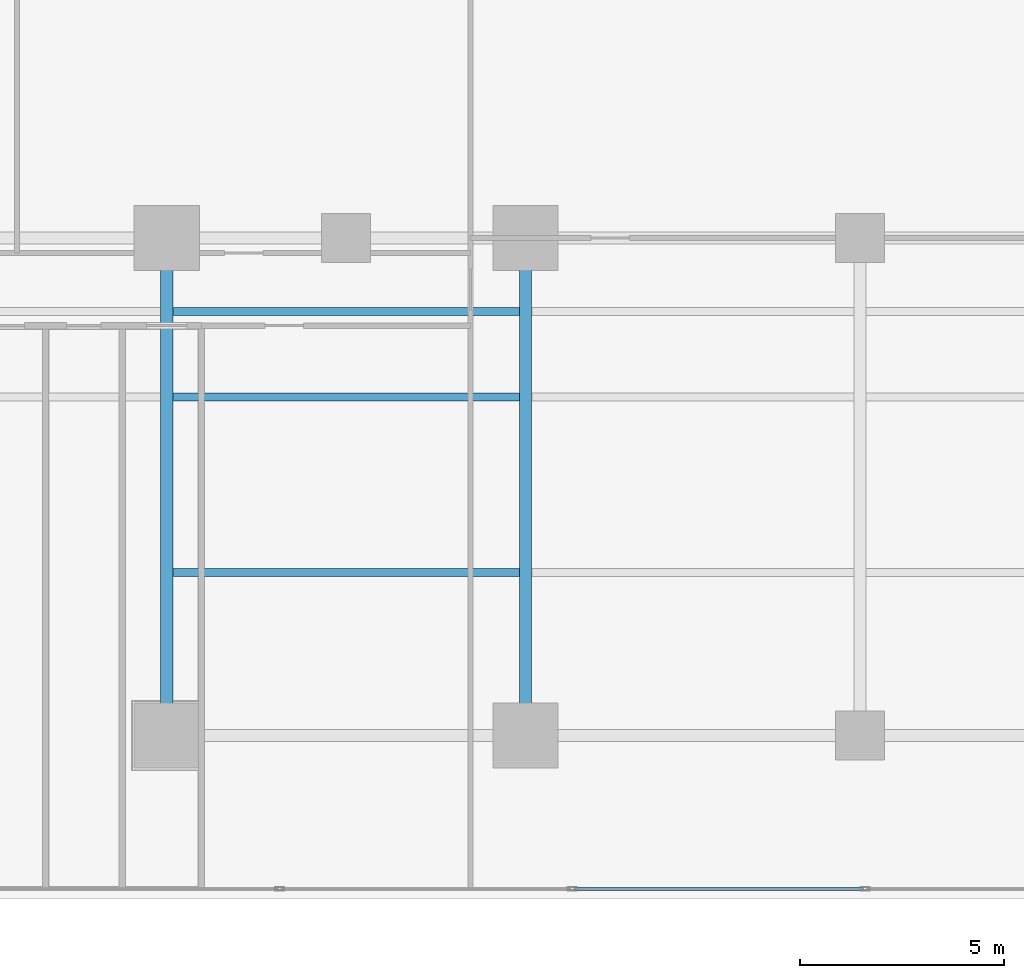
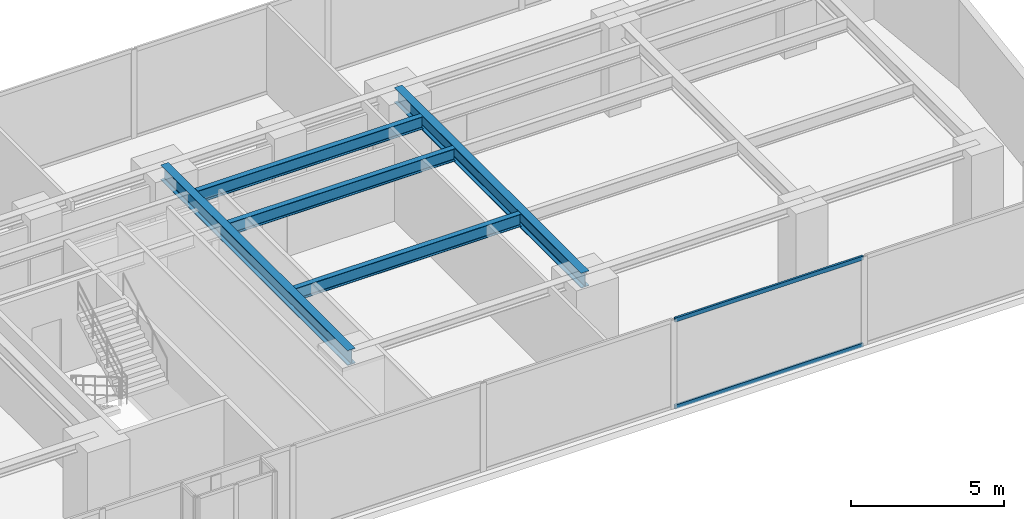
# One storey, part 10 of 27: 5 beams, 2 members, 1 element without a shape of its own.
"""IFC4 building model written with IfcOpenShell, lengths in metres."""

from ifc_helpers import new_model, si_unit, direction, frame, origin, origin_with_axes, origin_2d, place, context, subcontext, project, spatial, hollow_rectangle, i_section, extrude, source, transform, mapped, material, layer, layer_set, material_profile, profile_set, type_object, element, aggregate, save


model = new_model("IFC4")

# Units and contexts
model_context = context("Model", 3, precision=1e-05, world=origin(), true_north=direction((0.0, 1.0)))
body_context = subcontext(model_context, "Body", "Model", "MODEL_VIEW")
ifc_project = project(units=[si_unit("LENGTHUNIT", "METRE"), si_unit("AREAUNIT", "SQUARE_METRE"), si_unit("VOLUMEUNIT", "CUBIC_METRE"), si_unit("PLANEANGLEUNIT", "RADIAN"), si_unit("MASSUNIT", "GRAM", prefix="KILO")], contexts=[model_context])

# Site, building, storey
site_placement = place(None, origin())
site = spatial("IfcSite", under=ifc_project, at=site_placement, CompositionType="ELEMENT")
building_placement = place(site_placement, origin())
building = spatial("IfcBuilding", under=site, at=building_placement, Name="Kolvaren Waterfront Exchange", CompositionType="ELEMENT")
storey_placement = place(building_placement, frame((0.0, 0.0, 33.39990234375)))
storey = spatial("IfcBuildingStorey", under=building, at=storey_placement, Name="L08", CompositionType="ELEMENT", Elevation=33.39990234375)

# Beams
ifc_material_1 = material(Name="Steel S355", Category="steel")
ifc_material_profile_1 = material_profile(ifc_material_1, i_section(OverallWidth=0.300048828125, OverallDepth=0.60009765625, WebThickness=0.015380859375, FlangeThickness=0.030029296875, FilletRadius=0.027099609375, at=origin_2d()), Name="HEB600")
ifc_profile_set_1 = profile_set([ifc_material_profile_1], Name="Steel S355")
beam_type_1 = type_object("IfcBeamType", Name="STR-BM-HEB600", PredefinedType="BEAM", material=ifc_profile_set_1)
for number, where, z_axis, x_axis, name in (
    (1, (36.800048828125, 5.199951171875, 3.239990234375), (0.0, 1.0, 0.0), (-1.0, 0.0, 0.0), "L08 east-arm transverse girder X36"),
    (2, (45.60009765625, 5.199951171875, 3.239990234375), (0.0, 1.0, 0.0), (-1.0, 0.0, 0.0), "L08 east-arm transverse girder X45"),
):
    element("IfcBeam", number, at=place(storey_placement, frame(where, z_axis=z_axis, x_axis=x_axis)), inside=storey, type_object=beam_type_1, Name=name, PredefinedType="BEAM", context=body_context, shape_type="SweptSolid", body=[
        extrude(i_section(OverallWidth=0.300048828125, OverallDepth=0.60009765625, WebThickness=0.015380859375, FlangeThickness=0.030029296875, FilletRadius=0.027099609375, at=origin_2d()), origin(), (0.0, 0.0, 1.0), 12.199951171875),
    ])
ifc_material_profile_2 = material_profile(ifc_material_1, i_section(OverallWidth=0.199951171875, OverallDepth=0.5, WebThickness=0.01025390625, FlangeThickness=0.01611328125, FilletRadius=0.02099609375, at=origin_2d()), Name="IPE500")
ifc_profile_set_2 = profile_set([ifc_material_profile_2], Name="Steel S355")
beam_type_2 = type_object("IfcBeamType", Name="STR-BM-IPE500", PredefinedType="JOIST", material=ifc_profile_set_2)
for number, where, z_axis, x_axis, name in (
    (3, (36.951904296875, 13.5, 3.2900390625), (1.0, 0.0, 0.0), (0.0, 1.0, 0.0), "L08 east-arm composite joist 3A"),
    (4, (36.951904296875, 15.60009765625, 3.2900390625), (1.0, 0.0, 0.0), (0.0, 1.0, 0.0), "L08 east-arm composite joist 3C"),
    (5, (36.951904296875, 9.199951171875, 3.2900390625), (1.0, 0.0, 0.0), (0.0, 1.0, 0.0), "L08 east-arm composite joist 3B"),
):
    element("IfcBeam", number, at=place(storey_placement, frame(where, z_axis=z_axis, x_axis=x_axis)), inside=storey, type_object=beam_type_2, Name=name, PredefinedType="JOIST", context=body_context, shape_type="SweptSolid", body=[
        extrude(i_section(OverallWidth=0.199951171875, OverallDepth=0.5, WebThickness=0.01025390625, FlangeThickness=0.01611328125, FilletRadius=0.02099609375, at=origin_2d()), origin(), (0.0, 0.0, 1.0), 8.49609375),
    ])

# Curtain wall, members
ifc_material_2 = material(Name="Anodised bronze aluminium 6063-T6", Category="aluminium")
ifc_layer = layer(ifc_material_2, 0.219970703125, Name="Anodised bronze aluminium 6063-T6")
ifc_layer_set = layer_set([ifc_layer], Name="Anodised bronze aluminium 6063-T6")
curtain_wall_type = type_object("IfcCurtainWallType", Name="ARC-CW-SYS1", PredefinedType="USERDEFINED", material=ifc_layer_set)
curtain_wall_placement = place(storey_placement, origin())
curtain_wall = element("IfcCurtainWall", 6, at=curtain_wall_placement, inside=storey, type_object=curtain_wall_type, Name="L08 stick curtain wall CW1 (CW-L08-S)", ObjectType="STICK CURTAIN WALL", PredefinedType="USERDEFINED")
ifc_material_3 = material(Name="Anodised aluminium 6063-T6", Category="aluminium")
ifc_material_profile_3 = material_profile(ifc_material_3, hollow_rectangle(XDim=0.074951171875, YDim=0.159912109375, WallThickness=0.00439453125, at=origin_2d()), Name="ALU-TRN-160x75x4.5")
ifc_profile_set_3 = profile_set([ifc_material_profile_3], Name="Anodised aluminium 6063-T6")
member_type = type_object("IfcMemberType", Name="ARC-CWT-160", PredefinedType="USERDEFINED", material=ifc_profile_set_3)
shared_shape = source(origin_with_axes(), body_context, "Body", "SweptSolid", [
    extrude(hollow_rectangle(XDim=0.074951171875, YDim=0.159912109375, WallThickness=0.00439453125, at=origin_2d()), origin(), (0.0, 0.0, 1.0), 7.094970703125),
])
member_1_placement = place(storey_placement, frame((46.7900390625, 1.43994140625, 0.03759765625), z_axis=(1.0, 0.0, 0.0), x_axis=(0.0, 1.0, 0.0)))
member_1 = element("IfcMember", 7, at=member_1_placement, type_object=member_type, Name="CW1 transom 7.1", ObjectType="TRANSOM", PredefinedType="USERDEFINED", context=body_context, shape_type="MappedRepresentation", body=[
    mapped(shared_shape, transform((0.0, 0.0, 0.0), x_axis=(1.0, 0.0, 0.0), y_axis=(0.0, 1.0, 0.0), z_axis=(0.0, 0.0, 1.0), scale=1.0)),
])
member_2_placement = place(storey_placement, frame((46.7900390625, 1.43994140625, 3.502685546875), z_axis=(1.0, 0.0, 0.0), x_axis=(0.0, 1.0, 0.0)))
member_2 = element("IfcMember", 8, at=member_2_placement, type_object=member_type, Name="CW1 transom 7.2", ObjectType="TRANSOM", PredefinedType="USERDEFINED", context=body_context, shape_type="MappedRepresentation", body=[
    mapped(shared_shape, transform((0.0, 0.0, 0.0), x_axis=(1.0, 0.0, 0.0), y_axis=(0.0, 1.0, 0.0), z_axis=(0.0, 0.0, 1.0), scale=1.0)),
])
aggregate(curtain_wall, [member_1, member_2])

save(model, "model.ifc")
